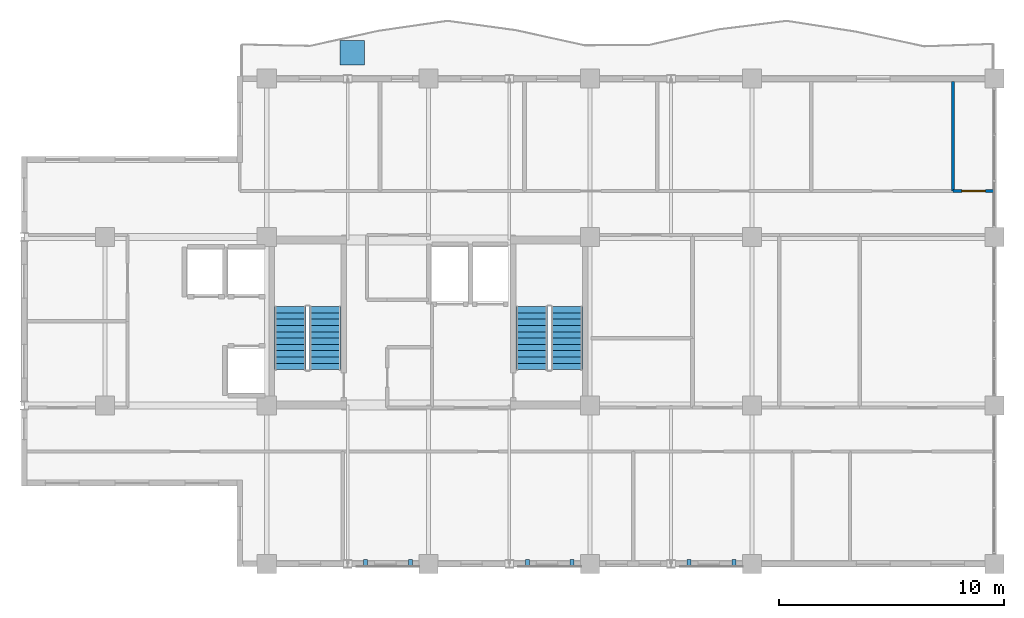
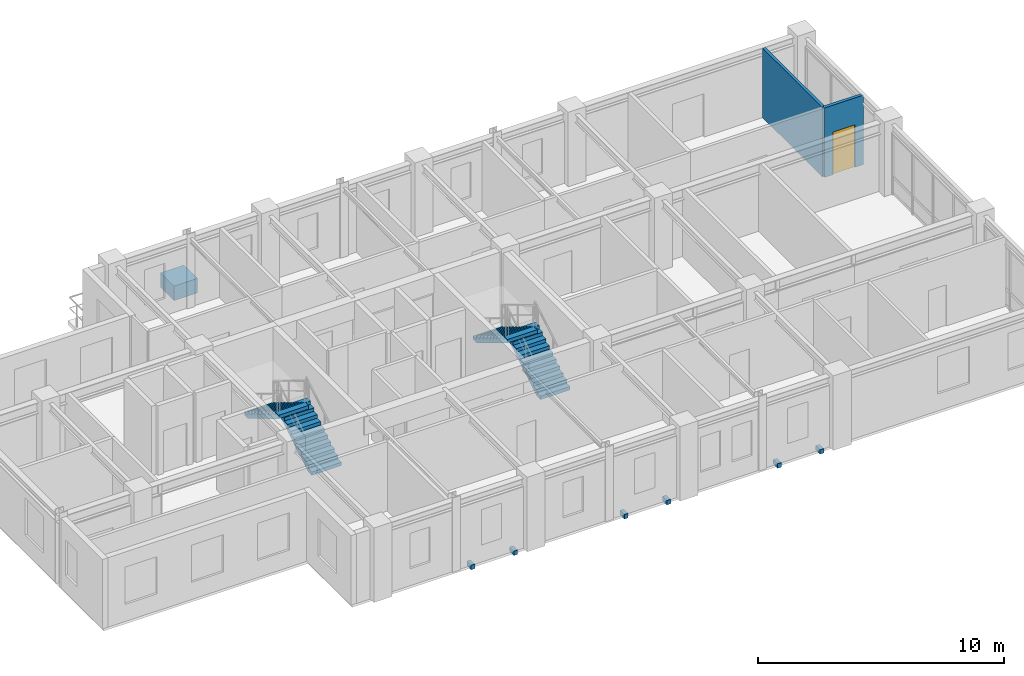
# One storey, part 9 of 10: 7 discrete accessories, 4 stair flights, 2 walls, 1 door, 1 opening, 2 elements without a shape of their own.
"""IFC4 building model written with IfcOpenShell, lengths in metres."""

from ifc_helpers import new_model, si_unit, direction, frame, frame_2d, origin, origin_2d, place, context, subcontext, project, spatial, polyline, rectangle, outline, extrude, source, transform, mapped, material, layer, layer_set, type_object, element, fill, aggregate, save


model = new_model("IFC4")

# Units and contexts
model_context = context("Model", 3, precision=1e-05, world=origin(), true_north=direction((0.0, 1.0)))
body_context = subcontext(model_context, "Body", "Model", "MODEL_VIEW")
ifc_project = project(units=[si_unit("LENGTHUNIT", "METRE"), si_unit("AREAUNIT", "SQUARE_METRE"), si_unit("VOLUMEUNIT", "CUBIC_METRE"), si_unit("PLANEANGLEUNIT", "RADIAN"), si_unit("MASSUNIT", "GRAM", prefix="KILO")], contexts=[model_context])

# Site, building, storey
site_placement = place(None, origin())
site = spatial("IfcSite", under=ifc_project, at=site_placement, CompositionType="ELEMENT")
building_placement = place(site_placement, origin())
building = spatial("IfcBuilding", under=site, at=building_placement, Name="Kaliganga Portal Commons", CompositionType="ELEMENT")
storey_placement = place(building_placement, frame((0.0, 0.0, 286.89990234375)))
storey = spatial("IfcBuildingStorey", under=building, at=storey_placement, Name="L74", CompositionType="ELEMENT", Elevation=286.89990234375)

# Wall, opening, door
ifc_material_1 = material(Name="Fire-Rated Gypsum Board on Steel Stud", Category="steel")
ifc_layer_1 = layer(ifc_material_1, 0.14990234375)
ifc_layer_set_1 = layer_set([ifc_layer_1], Name="Fire-Rated Gypsum Board on Steel Stud")
wall_type_1 = type_object("IfcWallType", Name="WL-PART-CORR-150", PredefinedType="PARTITIONING", material=ifc_layer_set_1)
wall_1_placement = place(storey_placement, frame((44.9599609375, 38.199951171875, 0.0), z_axis=(0.0, 0.0, 1.0), x_axis=(1.0, 0.0, 0.0)))
wall_1 = element("IfcWall", 1, at=wall_1_placement, inside=storey, type_object=wall_type_1, Name="Interior Partition L74-032", PredefinedType="PARTITIONING", context=body_context, shape_type="SweptSolid", body=[
    extrude(rectangle(XDim=1.820068359375, YDim=0.14990234375, at=frame_2d((0.91015625, 0.0))), origin(), (0.0, 0.0, 1.0), 3.455078125),
])
opening_placement = place(wall_1_placement, frame((0.385009765625, 0.0, 0.0)))
opening = element("IfcOpeningElement", 2, at=opening_placement, cuts=wall_1, Name="Opening UD-02", PredefinedType="OPENING", context=body_context, shape_type="SweptSolid", body=[
    extrude(rectangle(XDim=1.050048828125, YDim=2.1201171875, at=frame_2d((0.52490234375, 1.06005859375))), frame((0.0, 0.0849609375, 0.0), z_axis=(0.0, -1.0, 0.0), x_axis=(1.0, 0.0, 0.0)), (0.0, 0.0, 1.0), 0.169921875),
])
ifc_material_2 = material(Name="Accessible Wide-Leaf Acoustic Fire Door", Category="wood")
door_type = type_object("IfcDoorType", Name="DR-ACC-1050", OperationType="NOTDEFINED", PredefinedType="DOOR", material=ifc_material_2)
door_placement = place(opening_placement, origin())
door = element("IfcDoor", 3, at=door_placement, inside=storey, type_object=door_type, Name="Interior Door L74-AN06", OperationType="SINGLE_SWING_RIGHT", OverallHeight=2.1201171875, OverallWidth=1.050048828125, PredefinedType="DOOR", context=body_context, shape_type="SweptSolid", body=[
    extrude(rectangle(XDim=1.050048828125, YDim=2.1201171875, at=frame_2d((0.52490234375, 1.06005859375))), frame((0.0, 0.02490234375, 0.0), z_axis=(0.0, -1.0, 0.0), x_axis=(1.0, 0.0, 0.0)), (0.0, 0.0, 1.0), 0.050048828125),
])
fill(opening, door)

# Wall
ifc_material_3 = material(Name="Cement-Board Wet-Room Partition", Category="gypsum")
ifc_layer_2 = layer(ifc_material_3, 0.135009765625)
ifc_layer_set_2 = layer_set([ifc_layer_2], Name="Cement-Board Wet-Room Partition")
wall_type_2 = type_object("IfcWallType", Name="WL-PART-WET-135", PredefinedType="PARTITIONING", material=ifc_layer_set_2)
wall_2_placement = place(storey_placement, frame((44.9599609375, 38.199951171875, 0.0), z_axis=(0.0, 0.0, 1.0), x_axis=(0.0, 1.0, 0.0)))
element("IfcWall", 4, at=wall_2_placement, inside=storey, type_object=wall_type_2, Name="Interior Partition L74-045", PredefinedType="PARTITIONING", context=body_context, shape_type="SweptSolid", body=[
    extrude(rectangle(XDim=4.8681640625, YDim=0.135009765625, at=frame_2d((2.43408203125, 0.0))), origin(), (0.0, 0.0, 1.0), 3.455078125),
])

# Stair, stair flights
ifc_material_4 = material(Name="Concrete C40/50", Category="concrete")
stair_type = type_object("IfcStairType", Name="ST-CORE-DOGLEG", PredefinedType="HALF_TURN_STAIR", material=ifc_material_4)
stair_1_placement = place(storey_placement, origin())
stair_1 = element("IfcStair", 5, at=stair_1_placement, inside=storey, type_object=stair_type, Name="L74 Protected Exit Stair ST-A1", PredefinedType="HALF_TURN_STAIR")
stair_flight_type = type_object("IfcStairFlightType", Name="STF-RC-1400", PredefinedType="STRAIGHT", material=ifc_material_4)
stair_flight_1_placement = place(storey_placement, frame((17.0, 30.25, 0.0), z_axis=(0.0, 0.0, 1.0), x_axis=(0.0, 1.0, 0.0)))
stair_flight_1 = element("IfcStairFlight", 6, at=stair_flight_1_placement, type_object=stair_flight_type, Name="ST-A1 flight 1", NumberOfRisers=11, NumberOfTreads=10, PredefinedType="STRAIGHT", RiserHeight=0.168181818, TreadLength=0.28, context=body_context, shape_type="SweptSolid", body=[
    extrude(outline(polyline([(0.0, 0.0), (0.0, 0.168212890625), (0.280029296875, 0.168212890625), (0.280029296875, 0.33642578125), (0.56005859375, 0.33642578125), (0.56005859375, 0.504638671875), (0.840087890625, 0.504638671875), (0.840087890625, 0.672607421875), (1.1201171875, 0.672607421875), (1.1201171875, 0.8408203125), (1.39990234375, 0.8408203125), (1.39990234375, 1.009033203125), (1.679931640625, 1.009033203125), (1.679931640625, 1.17724609375), (1.9599609375, 1.17724609375), (1.9599609375, 1.345458984375), (2.239990234375, 1.345458984375), (2.239990234375, 1.513671875), (2.52001953125, 1.513671875), (2.52001953125, 1.681884765625), (2.800048828125, 1.681884765625), (2.800048828125, 1.85009765625), (2.800048828125, 1.5068359375), (0.291015625, 0.0), (0.0, 0.0)])), frame((0.0, 0.699951171875, 0.0), z_axis=(0.0, -1.0, 0.0), x_axis=(1.0, 0.0, 0.0)), (0.0, 0.0, 1.0), 1.39990234375),
])
stair_flight_2_placement = place(storey_placement, frame((15.449951171875, 33.050048828125, 1.85009765625), z_axis=(0.0, 0.0, 1.0), x_axis=(0.0, -1.0, 0.0)))
stair_flight_2 = element("IfcStairFlight", 7, at=stair_flight_2_placement, type_object=stair_flight_type, Name="ST-A1 flight 2", NumberOfRisers=11, NumberOfTreads=10, PredefinedType="STRAIGHT", RiserHeight=0.168181818, TreadLength=0.28, context=body_context, shape_type="SweptSolid", body=[
    extrude(outline(polyline([(0.0, 0.0), (0.0, 0.168212890625), (0.280029296875, 0.168212890625), (0.280029296875, 0.33642578125), (0.56005859375, 0.33642578125), (0.56005859375, 0.504638671875), (0.840087890625, 0.504638671875), (0.840087890625, 0.672607421875), (1.1201171875, 0.672607421875), (1.1201171875, 0.8408203125), (1.39990234375, 0.8408203125), (1.39990234375, 1.009033203125), (1.679931640625, 1.009033203125), (1.679931640625, 1.17724609375), (1.9599609375, 1.17724609375), (1.9599609375, 1.345458984375), (2.239990234375, 1.345458984375), (2.239990234375, 1.513671875), (2.52001953125, 1.513671875), (2.52001953125, 1.681884765625), (2.800048828125, 1.681884765625), (2.800048828125, 1.85009765625), (2.800048828125, 1.5068359375), (0.291015625, 0.0), (0.0, 0.0)])), frame((0.0, 0.699951171875, 0.0), z_axis=(0.0, -1.0, 0.0), x_axis=(1.0, 0.0, 0.0)), (0.0, 0.0, 1.0), 1.39990234375),
])
aggregate(stair_1, [stair_flight_1, stair_flight_2])

stair_2_placement = place(storey_placement, origin())
stair_2 = element("IfcStair", 8, at=stair_2_placement, inside=storey, type_object=stair_type, Name="L74 Protected Exit Stair ST-A2", PredefinedType="HALF_TURN_STAIR")
stair_flight_3_placement = place(storey_placement, frame((27.75, 30.25, 0.0), z_axis=(0.0, 0.0, 1.0), x_axis=(0.0, 1.0, 0.0)))
stair_flight_3 = element("IfcStairFlight", 9, at=stair_flight_3_placement, type_object=stair_flight_type, Name="ST-A2 flight 1", NumberOfRisers=11, NumberOfTreads=10, PredefinedType="STRAIGHT", RiserHeight=0.168181818, TreadLength=0.28, context=body_context, shape_type="SweptSolid", body=[
    extrude(outline(polyline([(0.0, 0.0), (0.0, 0.168212890625), (0.280029296875, 0.168212890625), (0.280029296875, 0.33642578125), (0.56005859375, 0.33642578125), (0.56005859375, 0.504638671875), (0.840087890625, 0.504638671875), (0.840087890625, 0.672607421875), (1.1201171875, 0.672607421875), (1.1201171875, 0.8408203125), (1.39990234375, 0.8408203125), (1.39990234375, 1.009033203125), (1.679931640625, 1.009033203125), (1.679931640625, 1.17724609375), (1.9599609375, 1.17724609375), (1.9599609375, 1.345458984375), (2.239990234375, 1.345458984375), (2.239990234375, 1.513671875), (2.52001953125, 1.513671875), (2.52001953125, 1.681884765625), (2.800048828125, 1.681884765625), (2.800048828125, 1.85009765625), (2.800048828125, 1.5068359375), (0.291015625, 0.0), (0.0, 0.0)])), frame((0.0, 0.699951171875, 0.0), z_axis=(0.0, -1.0, 0.0), x_axis=(1.0, 0.0, 0.0)), (0.0, 0.0, 1.0), 1.39990234375),
])
stair_flight_4_placement = place(storey_placement, frame((26.199951171875, 33.050048828125, 1.85009765625), z_axis=(0.0, 0.0, 1.0), x_axis=(0.0, -1.0, 0.0)))
stair_flight_4 = element("IfcStairFlight", 10, at=stair_flight_4_placement, type_object=stair_flight_type, Name="ST-A2 flight 2", NumberOfRisers=11, NumberOfTreads=10, PredefinedType="STRAIGHT", RiserHeight=0.168181818, TreadLength=0.28, context=body_context, shape_type="SweptSolid", body=[
    extrude(outline(polyline([(0.0, 0.0), (0.0, 0.168212890625), (0.280029296875, 0.168212890625), (0.280029296875, 0.33642578125), (0.56005859375, 0.33642578125), (0.56005859375, 0.504638671875), (0.840087890625, 0.504638671875), (0.840087890625, 0.672607421875), (1.1201171875, 0.672607421875), (1.1201171875, 0.8408203125), (1.39990234375, 0.8408203125), (1.39990234375, 1.009033203125), (1.679931640625, 1.009033203125), (1.679931640625, 1.17724609375), (1.9599609375, 1.17724609375), (1.9599609375, 1.345458984375), (2.239990234375, 1.345458984375), (2.239990234375, 1.513671875), (2.52001953125, 1.513671875), (2.52001953125, 1.681884765625), (2.800048828125, 1.681884765625), (2.800048828125, 1.85009765625), (2.800048828125, 1.5068359375), (0.291015625, 0.0), (0.0, 0.0)])), frame((0.0, 0.699951171875, 0.0), z_axis=(0.0, -1.0, 0.0), x_axis=(1.0, 0.0, 0.0)), (0.0, 0.0, 1.0), 1.39990234375),
])
aggregate(stair_2, [stair_flight_3, stair_flight_4])

# Discrete accessories
ifc_material_5 = material(Name="Precast concrete C40/50", Category="concrete")
discrete_accessory_type_1 = type_object("IfcDiscreteAccessoryType", Name="DAC-PLANTER-RC", PredefinedType="USERDEFINED", material=ifc_material_5)
shared_shape_1 = source(origin(), body_context, "Body", "SweptSolid", [
    extrude(rectangle(XDim=1.10009765625, YDim=1.10009765625, at=origin_2d()), origin(), (0.0, 0.0, 1.0), 0.719970703125),
])
discrete_accessory_placement = place(storey_placement, frame((18.199951171875, 44.35009765625, 0.0), z_axis=(0.0, 0.0, 1.0), x_axis=(1.0, 0.0, 0.0)))
element("IfcDiscreteAccessory", 11, at=discrete_accessory_placement, inside=storey, type_object=discrete_accessory_type_1, Name="Structural Tree Planter L74 balc_north", ObjectType="PLANTER", PredefinedType="USERDEFINED", context=body_context, shape_type="MappedRepresentation", body=[
    mapped(shared_shape_1, transform((0.0, 0.0, 0.0), x_axis=(1.0, 0.0, 0.0), y_axis=(0.0, 1.0, 0.0), z_axis=(0.0, 0.0, 1.0), scale=1.0)),
])
ifc_material_6 = material(Name="Structural steel S355J2", Category="steel")
discrete_accessory_type_2 = type_object("IfcDiscreteAccessoryType", Name="DAC-BRK-SCR", PredefinedType="BRACKET", material=ifc_material_6)
shared_shape_2 = source(origin(), body_context, "Body", "SweptSolid", [
    extrude(rectangle(XDim=0.179931640625, YDim=0.360107421875, at=origin_2d()), origin(), (0.0, 0.0, 1.0), 0.219970703125),
])
for number, where, z_axis, x_axis, name in (
    (12, (18.800048828125, 21.6201171875, -0.18994140625), (0.0, 0.0, 1.0), (1.0, 0.0, 0.0), "Solar Screen Outrigger Bracket L74-S1-1"),
    (13, (20.800048828125, 21.6201171875, -0.18994140625), (0.0, 0.0, 1.0), (1.0, 0.0, 0.0), "Solar Screen Outrigger Bracket L74-S1-2"),
    (14, (26.0, 21.6201171875, -0.18994140625), (0.0, 0.0, 1.0), (1.0, 0.0, 0.0), "Solar Screen Outrigger Bracket L74-S2-1"),
    (15, (28.0, 21.6201171875, -0.18994140625), (0.0, 0.0, 1.0), (1.0, 0.0, 0.0), "Solar Screen Outrigger Bracket L74-S2-2"),
    (16, (33.199951171875, 21.6201171875, -0.18994140625), (0.0, 0.0, 1.0), (1.0, 0.0, 0.0), "Solar Screen Outrigger Bracket L74-S3-1"),
    (17, (35.199951171875, 21.6201171875, -0.18994140625), (0.0, 0.0, 1.0), (1.0, 0.0, 0.0), "Solar Screen Outrigger Bracket L74-S3-2"),
):
    element("IfcDiscreteAccessory", number, at=place(storey_placement, frame(where, z_axis=z_axis, x_axis=x_axis)), inside=storey, type_object=discrete_accessory_type_2, Name=name, PredefinedType="BRACKET", context=body_context, shape_type="MappedRepresentation", body=[
        mapped(shared_shape_2, transform((0.0, 0.0, 0.0), x_axis=(1.0, 0.0, 0.0), y_axis=(0.0, 1.0, 0.0), z_axis=(0.0, 0.0, 1.0), scale=1.0)),
    ])

save(model, "model.ifc")
